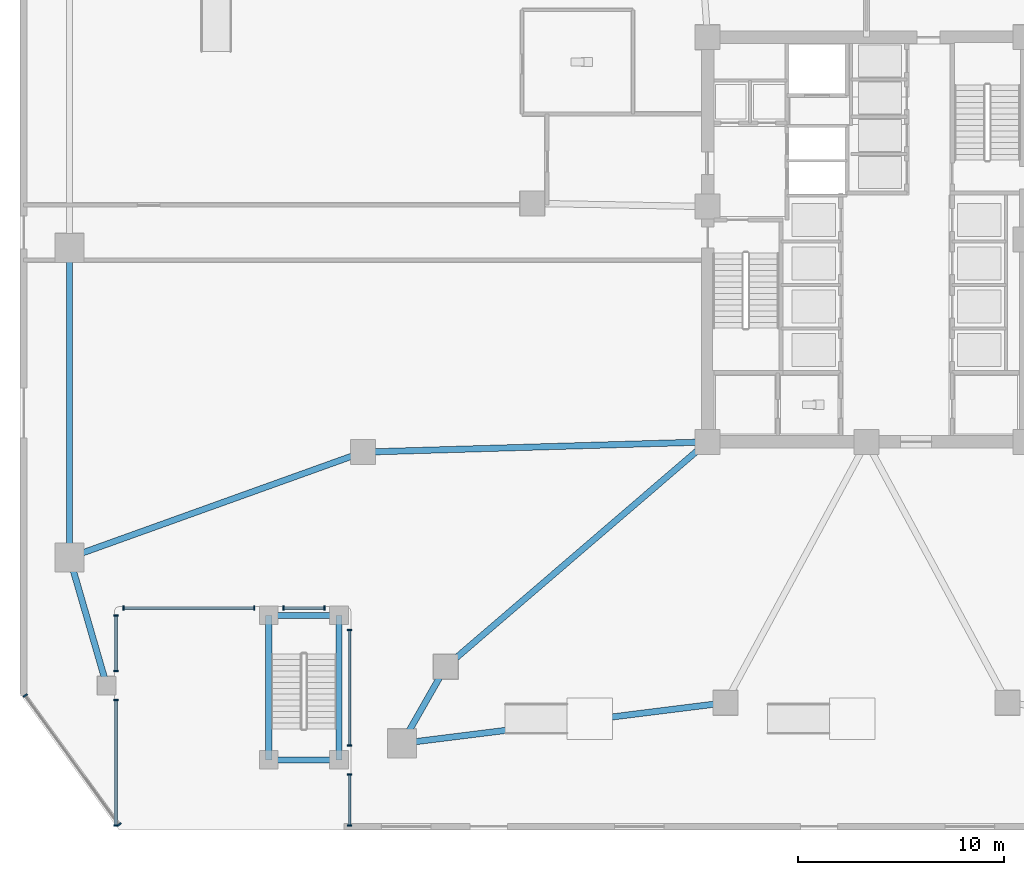
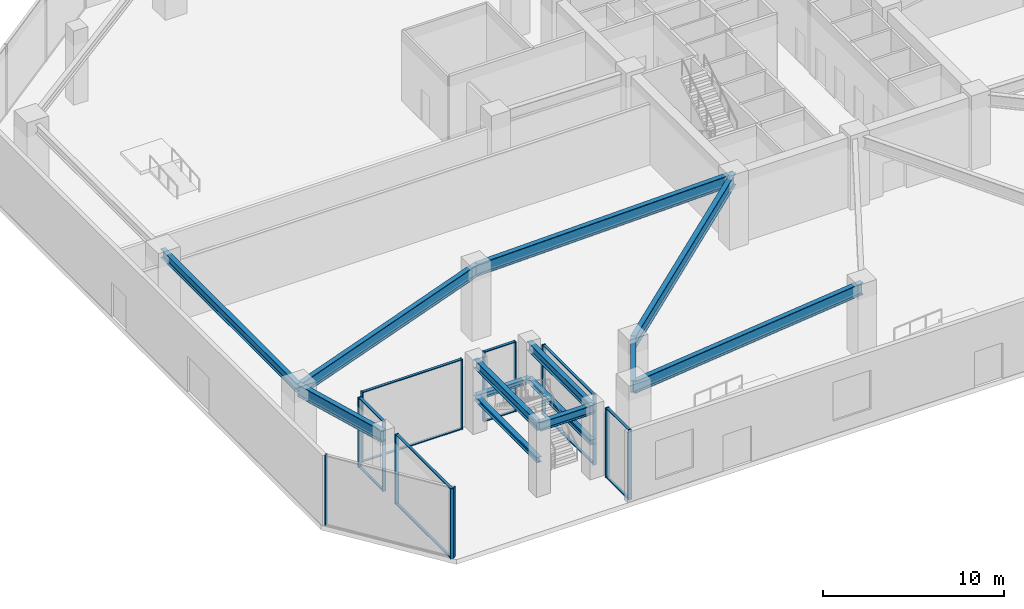
# One storey, part 2 of 22: 26 members, 13 beams, 7 elements without a shape of their own.
"""IFC4 building model written with IfcOpenShell, lengths in metres."""

from ifc_helpers import new_model, si_unit, direction, frame, origin, origin_2d, place, context, subcontext, project, spatial, rectangle, i_section, extrude, material, material_profile, profile_set, type_object, element, aggregate, save


model = new_model("IFC4")

# Units and contexts
model_context = context("Model", 3, precision=1e-05, world=origin(), true_north=direction((0.0, 1.0)))
body_context = subcontext(model_context, "Body", "Model", "MODEL_VIEW")
ifc_project = project(units=[si_unit("LENGTHUNIT", "METRE"), si_unit("AREAUNIT", "SQUARE_METRE"), si_unit("VOLUMEUNIT", "CUBIC_METRE"), si_unit("PLANEANGLEUNIT", "RADIAN"), si_unit("MASSUNIT", "GRAM", prefix="KILO")], contexts=[model_context])

# Site, building, storey
site_placement = place(None, origin())
site = spatial("IfcSite", under=ifc_project, at=site_placement, CompositionType="ELEMENT")
building_placement = place(site_placement, origin())
building = spatial("IfcBuilding", under=site, at=building_placement, Name="Savorim Split Tower", CompositionType="ELEMENT")
storey_placement = place(building_placement, origin())
storey = spatial("IfcBuildingStorey", under=building, at=storey_placement, Name="L00", CompositionType="ELEMENT", Elevation=0.0)

# Beams
ifc_material_1 = material(Name="Steel S355", Category="steel")
ifc_material_profile_1 = material_profile(ifc_material_1, i_section(OverallWidth=0.300048828125, OverallDepth=0.60009765625, WebThickness=0.015380859375, FlangeThickness=0.030029296875, FilletRadius=0.027099609375, at=origin_2d()), Name="HEB 600")
ifc_profile_set_1 = profile_set([ifc_material_profile_1], Name="Steel S355")
beam_type_1 = type_object("IfcBeamType", Name="BM-PRI-HEB600", PredefinedType="BEAM", material=ifc_profile_set_1)
beam_1_placement = place(storey_placement, frame((-28.949951171875, -24.800048828125, 4.419921875), z_axis=(1.0, 0.0, 0.0), x_axis=(0.0, 1.0, 0.0)))
element("IfcBeam", 1, at=beam_1_placement, inside=storey, type_object=beam_type_1, Name="L00 Exterior Garden Stair Framing Beam 1", PredefinedType="BEAM", context=body_context, shape_type="SweptSolid", body=[
    extrude(i_section(OverallWidth=0.300048828125, OverallDepth=0.60009765625, WebThickness=0.015380859375, FlangeThickness=0.030029296875, FilletRadius=0.027099609375, at=origin_2d()), origin(), (0.0, 0.0, 1.0), 3.39990234375),
])
for number, where, z_axis, x_axis, name in (
    (2, (-28.949951171875, -24.800048828125, 4.419921875), (0.0, 1.0, 0.0), (-1.0, 0.0, 0.0), "L00 Exterior Garden Stair Framing Beam 3"),
    (3, (-25.550048828125, -24.800048828125, 4.419921875), (0.0, 1.0, 0.0), (-1.0, 0.0, 0.0), "L00 Exterior Garden Stair Framing Beam 4"),
):
    element("IfcBeam", number, at=place(storey_placement, frame(where, z_axis=z_axis, x_axis=x_axis)), inside=storey, type_object=beam_type_1, Name=name, PredefinedType="BEAM", context=body_context, shape_type="SweptSolid", body=[
        extrude(i_section(OverallWidth=0.300048828125, OverallDepth=0.60009765625, WebThickness=0.015380859375, FlangeThickness=0.030029296875, FilletRadius=0.027099609375, at=origin_2d()), origin(), (0.0, 0.0, 1.0), 7.0),
    ])
ifc_material_2 = material(Name="Steel S460", Category="steel")
ifc_material_profile_2 = material_profile(ifc_material_2, i_section(OverallWidth=0.302978515625, OverallDepth=0.81396484375, WebThickness=0.02099609375, FlangeThickness=0.0400390625, FilletRadius=0.030029296875, at=origin_2d()), Name="HE 800 M")
ifc_profile_set_2 = profile_set([ifc_material_profile_2], Name="Steel S460")
beam_type_2 = type_object("IfcBeamType", Name="BM-PRI-HEM800", PredefinedType="BEAM", material=ifc_profile_set_2)
beam_2_placement = place(storey_placement, frame((-22.5, -24.0, 4.31298828125), z_axis=(0.495603085314, 0.868549124591, 0.0), x_axis=(-0.868549124591, 0.495603085314, 0.0)))
element("IfcBeam", 4, at=beam_2_placement, inside=storey, type_object=beam_type_2, Name="L00 Podium Primary Girder BG-01", PredefinedType="BEAM", context=body_context, shape_type="SweptSolid", body=[
    extrude(i_section(OverallWidth=0.302978515625, OverallDepth=0.81396484375, WebThickness=0.02099609375, FlangeThickness=0.0400390625, FilletRadius=0.030029296875, at=origin_2d()), origin(), (0.0, 0.0, 1.0), 4.26953125),
])
beam_3_placement = place(storey_placement, frame((-22.5, -24.0, 4.31298828125), z_axis=(0.992201816191, 0.124641710303, 0.0), x_axis=(-0.124641710303, 0.992201816191, 0.0)))
element("IfcBeam", 5, at=beam_3_placement, inside=storey, type_object=beam_type_2, Name="L00 Podium Primary Girder BG-02", PredefinedType="BEAM", context=body_context, shape_type="SweptSolid", body=[
    extrude(i_section(OverallWidth=0.302978515625, OverallDepth=0.81396484375, WebThickness=0.02099609375, FlangeThickness=0.0400390625, FilletRadius=0.030029296875, at=origin_2d()), origin(), (0.0, 0.0, 1.0), 15.791259765625),
])
beam_4_placement = place(storey_placement, frame((-38.60009765625, -15.0, 4.31298828125), z_axis=(0.941138119123, 0.338022248874, 0.0), x_axis=(-0.338022248874, 0.941138119123, 0.0)))
element("IfcBeam", 6, at=beam_4_placement, inside=storey, type_object=beam_type_2, Name="L00 Podium Primary Girder BG-19", PredefinedType="BEAM", context=body_context, shape_type="SweptSolid", body=[
    extrude(i_section(OverallWidth=0.302978515625, OverallDepth=0.81396484375, WebThickness=0.02099609375, FlangeThickness=0.0400390625, FilletRadius=0.030029296875, at=origin_2d()), origin(), (0.0, 0.0, 1.0), 15.104736328125),
])
beam_5_placement = place(storey_placement, frame((-38.60009765625, -15.0, 4.31298828125), z_axis=(0.278819195264, -0.960343613689, 0.0), x_axis=(0.960343613689, 0.278819195264, 0.0)))
element("IfcBeam", 7, at=beam_5_placement, inside=storey, type_object=beam_type_2, Name="L00 Podium Primary Girder BG-20", PredefinedType="BEAM", context=body_context, shape_type="SweptSolid", body=[
    extrude(i_section(OverallWidth=0.302978515625, OverallDepth=0.81396484375, WebThickness=0.02099609375, FlangeThickness=0.0400390625, FilletRadius=0.030029296875, at=origin_2d()), origin(), (0.0, 0.0, 1.0), 6.4560546875),
])
beam_6_placement = place(storey_placement, frame((-20.384033203125, -20.291748046875, 4.31298828125), z_axis=(0.758671842154, 0.651472974054, 0.0), x_axis=(-0.651472974054, 0.758671842154, 0.0)))
element("IfcBeam", 8, at=beam_6_placement, inside=storey, type_object=beam_type_2, Name="L00 Podium Primary Girder BG-22", PredefinedType="BEAM", context=body_context, shape_type="SweptSolid", body=[
    extrude(i_section(OverallWidth=0.302978515625, OverallDepth=0.81396484375, WebThickness=0.02099609375, FlangeThickness=0.0400390625, FilletRadius=0.030029296875, at=origin_2d()), origin(), (0.0, 0.0, 1.0), 16.71875),
])
beam_7_placement = place(storey_placement, frame((-24.384521484375, -9.894287109375, 4.31298828125), z_axis=(0.999561283227, 0.029618255758, 0.0), x_axis=(-0.029618255758, 0.999561283227, 0.0)))
element("IfcBeam", 9, at=beam_7_placement, inside=storey, type_object=beam_type_2, Name="L00 Podium Primary Girder BG-31", PredefinedType="BEAM", context=body_context, shape_type="SweptSolid", body=[
    extrude(i_section(OverallWidth=0.302978515625, OverallDepth=0.81396484375, WebThickness=0.02099609375, FlangeThickness=0.0400390625, FilletRadius=0.030029296875, at=origin_2d()), origin(), (0.0, 0.0, 1.0), 16.69189453125),
])
ifc_material_profile_3 = material_profile(ifc_material_1, i_section(OverallWidth=0.300048828125, OverallDepth=0.35009765625, WebThickness=0.010009765625, FlangeThickness=0.017578125, FilletRadius=0.027099609375, at=origin_2d()), Name="HEA 360")
ifc_profile_set_3 = profile_set([ifc_material_profile_3], Name="Steel S355")
beam_type_3 = type_object("IfcBeamType", Name="BM-SPN-HEA360", PredefinedType="SPANDREL", material=ifc_profile_set_3)
beam_8_placement = place(storey_placement, frame((-28.949951171875, -17.800048828125, 2.125), z_axis=(1.0, 0.0, 0.0), x_axis=(0.0, 1.0, 0.0)))
element("IfcBeam", 10, at=beam_8_placement, inside=storey, type_object=beam_type_3, Name="L00 Garden Stair Half-Landing Beam 1", PredefinedType="SPANDREL", context=body_context, shape_type="SweptSolid", body=[
    extrude(i_section(OverallWidth=0.300048828125, OverallDepth=0.35009765625, WebThickness=0.010009765625, FlangeThickness=0.017578125, FilletRadius=0.027099609375, at=origin_2d()), origin(), (0.0, 0.0, 1.0), 3.39990234375),
])
for number, where, z_axis, x_axis, name in (
    (11, (-28.949951171875, -24.800048828125, 2.125), (0.0, 1.0, 0.0), (-1.0, 0.0, 0.0), "L00 Garden Stair Half-Landing Beam 2"),
    (12, (-25.550048828125, -24.800048828125, 2.125), (0.0, 1.0, 0.0), (-1.0, 0.0, 0.0), "L00 Garden Stair Half-Landing Beam 3"),
):
    element("IfcBeam", number, at=place(storey_placement, frame(where, z_axis=z_axis, x_axis=x_axis)), inside=storey, type_object=beam_type_3, Name=name, PredefinedType="SPANDREL", context=body_context, shape_type="SweptSolid", body=[
        extrude(i_section(OverallWidth=0.300048828125, OverallDepth=0.35009765625, WebThickness=0.010009765625, FlangeThickness=0.017578125, FilletRadius=0.027099609375, at=origin_2d()), origin(), (0.0, 0.0, 1.0), 7.0),
    ])
ifc_material_profile_4 = material_profile(ifc_material_1, i_section(OverallWidth=0.300048828125, OverallDepth=0.590087890625, WebThickness=0.012939453125, FlangeThickness=0.02490234375, FilletRadius=0.027099609375, at=origin_2d()), Name="HEA 600")
ifc_profile_set_4 = profile_set([ifc_material_profile_4], Name="Steel S355")
beam_type_4 = type_object("IfcBeamType", Name="BM-SPN-HEA600", PredefinedType="SPANDREL", material=ifc_profile_set_4)
beam_9_placement = place(storey_placement, frame((-38.60009765625, 0.0, 4.425048828125), z_axis=(0.0, -1.0, 0.0), x_axis=(1.0, 0.0, 0.0)))
element("IfcBeam", 13, at=beam_9_placement, inside=storey, type_object=beam_type_4, Name="L00 Podium Spandrel Beam 11", PredefinedType="SPANDREL", context=body_context, shape_type="SweptSolid", body=[
    extrude(i_section(OverallWidth=0.300048828125, OverallDepth=0.590087890625, WebThickness=0.012939453125, FlangeThickness=0.02490234375, FilletRadius=0.027099609375, at=origin_2d()), origin(), (0.0, 0.0, 1.0), 15.0),
])

# Curtain wall, members
ifc_material_3 = material(Name="Dark Ceramic-Fritted Insulated Glass", Category="glass")
curtain_wall_type = type_object("IfcCurtainWallType", Name="CW-POD-GLZ", PredefinedType="NOTDEFINED", material=ifc_material_3)
curtain_wall_1_placement = place(storey_placement, origin())
curtain_wall_1 = element("IfcCurtainWall", 14, at=curtain_wall_1_placement, inside=storey, type_object=curtain_wall_type, Name="L00 Curtain Wall CW-L00-E01S1", PredefinedType="NOTDEFINED")
ifc_material_4 = material(Name="Charcoal Anodised Aluminium", Category="aluminium")
ifc_material_profile_5 = material_profile(ifc_material_4, rectangle(XDim=0.219970703125, YDim=0.070068359375, at=origin_2d()), Name="ALU-M 220x70")
ifc_profile_set_5 = profile_set([ifc_material_profile_5], Name="Charcoal Anodised Aluminium")
member_type_1 = type_object("IfcMemberType", Name="CWM-220x70", PredefinedType="MULLION", material=ifc_profile_set_5)
member_1_placement = place(storey_placement, frame((-36.360107421875, -27.985107421875, 0.0), z_axis=(0.0, 0.0, 1.0), x_axis=(-1.0, 0.0, 0.0)))
member_1 = element("IfcMember", 15, at=member_1_placement, type_object=member_type_1, Name="CW-01 mullion 1", PredefinedType="MULLION", context=body_context, shape_type="SweptSolid", body=[
    extrude(rectangle(XDim=0.219970703125, YDim=0.070068359375, at=origin_2d()), origin(), (0.0, 0.0, 1.0), 4.719970703125),
])
member_2_placement = place(storey_placement, frame((-36.360107421875, -21.905029296875, 0.0), z_axis=(0.0, 0.0, 1.0), x_axis=(-1.0, 0.0, 0.0)))
member_2 = element("IfcMember", 16, at=member_2_placement, type_object=member_type_1, Name="CW-01 mullion 2", PredefinedType="MULLION", context=body_context, shape_type="SweptSolid", body=[
    extrude(rectangle(XDim=0.219970703125, YDim=0.070068359375, at=origin_2d()), origin(), (0.0, 0.0, 1.0), 4.719970703125),
])

curtain_wall_2_placement = place(storey_placement, origin())
curtain_wall_2 = element("IfcCurtainWall", 17, at=curtain_wall_2_placement, inside=storey, type_object=curtain_wall_type, Name="L00 Curtain Wall CW-L00-E01S2", PredefinedType="NOTDEFINED")
member_3_placement = place(storey_placement, frame((-36.360107421875, -20.4951171875, 0.0), z_axis=(0.0, 0.0, 1.0), x_axis=(-1.0, 0.0, 0.0)))
member_3 = element("IfcMember", 18, at=member_3_placement, type_object=member_type_1, Name="CW-01 mullion 1", PredefinedType="MULLION", context=body_context, shape_type="SweptSolid", body=[
    extrude(rectangle(XDim=0.219970703125, YDim=0.070068359375, at=origin_2d()), origin(), (0.0, 0.0, 1.0), 4.719970703125),
])
member_4_placement = place(storey_placement, frame((-36.360107421875, -17.81494140625, 0.0), z_axis=(0.0, 0.0, 1.0), x_axis=(-1.0, 0.0, 0.0)))
member_4 = element("IfcMember", 19, at=member_4_placement, type_object=member_type_1, Name="CW-01 mullion 2", PredefinedType="MULLION", context=body_context, shape_type="SweptSolid", body=[
    extrude(rectangle(XDim=0.219970703125, YDim=0.070068359375, at=origin_2d()), origin(), (0.0, 0.0, 1.0), 4.719970703125),
])

curtain_wall_3_placement = place(storey_placement, origin())
curtain_wall_3 = element("IfcCurtainWall", 20, at=curtain_wall_3_placement, inside=storey, type_object=curtain_wall_type, Name="L00 Curtain Wall CW-L00-E02S1", PredefinedType="NOTDEFINED")
member_5_placement = place(storey_placement, frame((-35.985107421875, -17.43994140625, 0.0), z_axis=(0.0, 0.0, 1.0), x_axis=(0.0, 1.0, 0.0)))
member_5 = element("IfcMember", 21, at=member_5_placement, type_object=member_type_1, Name="CW-01 mullion 1", PredefinedType="MULLION", context=body_context, shape_type="SweptSolid", body=[
    extrude(rectangle(XDim=0.219970703125, YDim=0.070068359375, at=origin_2d()), origin(), (0.0, 0.0, 1.0), 4.719970703125),
])
member_6_placement = place(storey_placement, frame((-29.655029296875, -17.43994140625, 0.0), z_axis=(0.0, 0.0, 1.0), x_axis=(0.0, 1.0, 0.0)))
member_6 = element("IfcMember", 22, at=member_6_placement, type_object=member_type_1, Name="CW-01 mullion 2", PredefinedType="MULLION", context=body_context, shape_type="SweptSolid", body=[
    extrude(rectangle(XDim=0.219970703125, YDim=0.070068359375, at=origin_2d()), origin(), (0.0, 0.0, 1.0), 4.719970703125),
])

curtain_wall_4_placement = place(storey_placement, origin())
curtain_wall_4 = element("IfcCurtainWall", 23, at=curtain_wall_4_placement, inside=storey, type_object=curtain_wall_type, Name="L00 Curtain Wall CW-L00-E02S2", PredefinedType="NOTDEFINED")
member_7_placement = place(storey_placement, frame((-28.2451171875, -17.43994140625, 0.0), z_axis=(0.0, 0.0, 1.0), x_axis=(0.0, 1.0, 0.0)))
member_7 = element("IfcMember", 24, at=member_7_placement, type_object=member_type_1, Name="CW-01 mullion 1", PredefinedType="MULLION", context=body_context, shape_type="SweptSolid", body=[
    extrude(rectangle(XDim=0.219970703125, YDim=0.070068359375, at=origin_2d()), origin(), (0.0, 0.0, 1.0), 4.719970703125),
])
member_8_placement = place(storey_placement, frame((-26.2548828125, -17.43994140625, 0.0), z_axis=(0.0, 0.0, 1.0), x_axis=(0.0, 1.0, 0.0)))
member_8 = element("IfcMember", 25, at=member_8_placement, type_object=member_type_1, Name="CW-01 mullion 2", PredefinedType="MULLION", context=body_context, shape_type="SweptSolid", body=[
    extrude(rectangle(XDim=0.219970703125, YDim=0.070068359375, at=origin_2d()), origin(), (0.0, 0.0, 1.0), 4.719970703125),
])

curtain_wall_5_placement = place(storey_placement, origin())
curtain_wall_5 = element("IfcCurtainWall", 26, at=curtain_wall_5_placement, inside=storey, type_object=curtain_wall_type, Name="L00 Curtain Wall CW-L00-E03S1", PredefinedType="NOTDEFINED")
member_9_placement = place(storey_placement, frame((-25.0400390625, -18.5048828125, 0.0), z_axis=(0.0, 0.0, 1.0), x_axis=(1.0, 0.0, 0.0)))
member_9 = element("IfcMember", 27, at=member_9_placement, type_object=member_type_1, Name="CW-01 mullion 1", PredefinedType="MULLION", context=body_context, shape_type="SweptSolid", body=[
    extrude(rectangle(XDim=0.219970703125, YDim=0.070068359375, at=origin_2d()), origin(), (0.0, 0.0, 1.0), 4.719970703125),
])
member_10_placement = place(storey_placement, frame((-25.0400390625, -24.094970703125, 0.0), z_axis=(0.0, 0.0, 1.0), x_axis=(1.0, 0.0, 0.0)))
member_10 = element("IfcMember", 28, at=member_10_placement, type_object=member_type_1, Name="CW-01 mullion 2", PredefinedType="MULLION", context=body_context, shape_type="SweptSolid", body=[
    extrude(rectangle(XDim=0.219970703125, YDim=0.070068359375, at=origin_2d()), origin(), (0.0, 0.0, 1.0), 4.719970703125),
])

curtain_wall_6_placement = place(storey_placement, origin())
curtain_wall_6 = element("IfcCurtainWall", 29, at=curtain_wall_6_placement, inside=storey, type_object=curtain_wall_type, Name="L00 Curtain Wall CW-L00-E03S2", PredefinedType="NOTDEFINED")
member_11_placement = place(storey_placement, frame((-25.0400390625, -25.5048828125, 0.0), z_axis=(0.0, 0.0, 1.0), x_axis=(1.0, 0.0, 0.0)))
member_11 = element("IfcMember", 30, at=member_11_placement, type_object=member_type_1, Name="CW-01 mullion 1", PredefinedType="MULLION", context=body_context, shape_type="SweptSolid", body=[
    extrude(rectangle(XDim=0.219970703125, YDim=0.070068359375, at=origin_2d()), origin(), (0.0, 0.0, 1.0), 4.719970703125),
])
member_12_placement = place(storey_placement, frame((-25.0400390625, -27.985107421875, 0.0), z_axis=(0.0, 0.0, 1.0), x_axis=(1.0, 0.0, 0.0)))
member_12 = element("IfcMember", 31, at=member_12_placement, type_object=member_type_1, Name="CW-01 mullion 2", PredefinedType="MULLION", context=body_context, shape_type="SweptSolid", body=[
    extrude(rectangle(XDim=0.219970703125, YDim=0.070068359375, at=origin_2d()), origin(), (0.0, 0.0, 1.0), 4.719970703125),
])

curtain_wall_7_placement = place(storey_placement, origin())
curtain_wall_7 = element("IfcCurtainWall", 32, at=curtain_wall_7_placement, inside=storey, type_object=curtain_wall_type, Name="L00 Curtain Wall CW-L00-E11", PredefinedType="NOTDEFINED")
member_13_placement = place(storey_placement, frame((-40.744140625, -21.6796875, 0.0), z_axis=(0.0, 0.0, 1.0), x_axis=(0.808737192991, 0.588170173227, 0.0)))
member_13 = element("IfcMember", 33, at=member_13_placement, type_object=member_type_1, Name="CW-01 mullion 1", PredefinedType="MULLION", context=body_context, shape_type="SweptSolid", body=[
    extrude(rectangle(XDim=0.219970703125, YDim=0.070068359375, at=origin_2d()), origin(), (0.0, 0.0, 1.0), 4.719970703125),
])
member_14_placement = place(storey_placement, frame((-36.197021484375, -27.931884765625, 0.0), z_axis=(0.0, 0.0, 1.0), x_axis=(0.808737192991, 0.588170173227, 0.0)))
member_14 = element("IfcMember", 34, at=member_14_placement, type_object=member_type_1, Name="CW-01 mullion 2", PredefinedType="MULLION", context=body_context, shape_type="SweptSolid", body=[
    extrude(rectangle(XDim=0.219970703125, YDim=0.070068359375, at=origin_2d()), origin(), (0.0, 0.0, 1.0), 4.719970703125),
])
aggregate(curtain_wall_7, [member_13, member_14])

# Member
ifc_material_profile_6 = material_profile(ifc_material_4, rectangle(XDim=0.159912109375, YDim=0.06005859375, at=origin_2d()), Name="ALU-T 160x60")
ifc_profile_set_6 = profile_set([ifc_material_profile_6], Name="Charcoal Anodised Aluminium")
member_type_2 = type_object("IfcMemberType", Name="CWT-160x60", PredefinedType="USERDEFINED", material=ifc_profile_set_6)
member_15_placement = place(storey_placement, frame((-36.360107421875, -27.949951171875, 0.030029296875), z_axis=(0.0, 1.0, 0.0), x_axis=(-1.0, 0.0, 0.0)))
member_15 = element("IfcMember", 35, at=member_15_placement, type_object=member_type_2, Name="CW-01 transom 1.1", ObjectType="TRANSOM", PredefinedType="USERDEFINED", context=body_context, shape_type="SweptSolid", body=[
    extrude(rectangle(XDim=0.159912109375, YDim=0.06005859375, at=origin_2d()), origin(), (0.0, 0.0, 1.0), 6.010009765625),
])

member_16_placement = place(storey_placement, frame((-36.360107421875, -27.949951171875, 4.68994140625), z_axis=(0.0, 1.0, 0.0), x_axis=(-1.0, 0.0, 0.0)))
member_16 = element("IfcMember", 36, at=member_16_placement, type_object=member_type_2, Name="CW-01 transom 1.2", ObjectType="TRANSOM", PredefinedType="USERDEFINED", context=body_context, shape_type="SweptSolid", body=[
    extrude(rectangle(XDim=0.159912109375, YDim=0.06005859375, at=origin_2d()), origin(), (0.0, 0.0, 1.0), 6.010009765625),
])

aggregate(curtain_wall_1, [member_1, member_2, member_15, member_16])

member_17_placement = place(storey_placement, frame((-36.360107421875, -20.4599609375, 0.030029296875), z_axis=(0.0, 1.0, 0.0), x_axis=(-1.0, 0.0, 0.0)))
member_17 = element("IfcMember", 37, at=member_17_placement, type_object=member_type_2, Name="CW-01 transom 1.1", ObjectType="TRANSOM", PredefinedType="USERDEFINED", context=body_context, shape_type="SweptSolid", body=[
    extrude(rectangle(XDim=0.159912109375, YDim=0.06005859375, at=origin_2d()), origin(), (0.0, 0.0, 1.0), 2.60986328125),
])

member_18_placement = place(storey_placement, frame((-36.360107421875, -20.4599609375, 4.68994140625), z_axis=(0.0, 1.0, 0.0), x_axis=(-1.0, 0.0, 0.0)))
member_18 = element("IfcMember", 38, at=member_18_placement, type_object=member_type_2, Name="CW-01 transom 1.2", ObjectType="TRANSOM", PredefinedType="USERDEFINED", context=body_context, shape_type="SweptSolid", body=[
    extrude(rectangle(XDim=0.159912109375, YDim=0.06005859375, at=origin_2d()), origin(), (0.0, 0.0, 1.0), 2.60986328125),
])

aggregate(curtain_wall_2, [member_3, member_4, member_17, member_18])

member_19_placement = place(storey_placement, frame((-35.949951171875, -17.43994140625, 0.030029296875), z_axis=(1.0, 0.0, 0.0), x_axis=(0.0, 1.0, 0.0)))
member_19 = element("IfcMember", 39, at=member_19_placement, type_object=member_type_2, Name="CW-01 transom 1.1", ObjectType="TRANSOM", PredefinedType="USERDEFINED", context=body_context, shape_type="SweptSolid", body=[
    extrude(rectangle(XDim=0.159912109375, YDim=0.06005859375, at=origin_2d()), origin(), (0.0, 0.0, 1.0), 6.260009765625),
])

member_20_placement = place(storey_placement, frame((-35.949951171875, -17.43994140625, 4.68994140625), z_axis=(1.0, 0.0, 0.0), x_axis=(0.0, 1.0, 0.0)))
member_20 = element("IfcMember", 40, at=member_20_placement, type_object=member_type_2, Name="CW-01 transom 1.2", ObjectType="TRANSOM", PredefinedType="USERDEFINED", context=body_context, shape_type="SweptSolid", body=[
    extrude(rectangle(XDim=0.159912109375, YDim=0.06005859375, at=origin_2d()), origin(), (0.0, 0.0, 1.0), 6.260009765625),
])

aggregate(curtain_wall_3, [member_5, member_6, member_19, member_20])

member_21_placement = place(storey_placement, frame((-28.2099609375, -17.43994140625, 0.030029296875), z_axis=(1.0, 0.0, 0.0), x_axis=(0.0, 1.0, 0.0)))
member_21 = element("IfcMember", 41, at=member_21_placement, type_object=member_type_2, Name="CW-01 transom 1.1", ObjectType="TRANSOM", PredefinedType="USERDEFINED", context=body_context, shape_type="SweptSolid", body=[
    extrude(rectangle(XDim=0.159912109375, YDim=0.06005859375, at=origin_2d()), origin(), (0.0, 0.0, 1.0), 1.919921875),
])

member_22_placement = place(storey_placement, frame((-28.2099609375, -17.43994140625, 4.68994140625), z_axis=(1.0, 0.0, 0.0), x_axis=(0.0, 1.0, 0.0)))
member_22 = element("IfcMember", 42, at=member_22_placement, type_object=member_type_2, Name="CW-01 transom 1.2", ObjectType="TRANSOM", PredefinedType="USERDEFINED", context=body_context, shape_type="SweptSolid", body=[
    extrude(rectangle(XDim=0.159912109375, YDim=0.06005859375, at=origin_2d()), origin(), (0.0, 0.0, 1.0), 1.919921875),
])

aggregate(curtain_wall_4, [member_7, member_8, member_21, member_22])

member_23_placement = place(storey_placement, frame((-25.0400390625, -18.5400390625, 0.030029296875), z_axis=(0.0, -1.0, 0.0), x_axis=(1.0, 0.0, 0.0)))
member_23 = element("IfcMember", 43, at=member_23_placement, type_object=member_type_2, Name="CW-01 transom 1.1", ObjectType="TRANSOM", PredefinedType="USERDEFINED", context=body_context, shape_type="SweptSolid", body=[
    extrude(rectangle(XDim=0.159912109375, YDim=0.06005859375, at=origin_2d()), origin(), (0.0, 0.0, 1.0), 5.52001953125),
])

member_24_placement = place(storey_placement, frame((-25.0400390625, -18.5400390625, 4.68994140625), z_axis=(0.0, -1.0, 0.0), x_axis=(1.0, 0.0, 0.0)))
member_24 = element("IfcMember", 44, at=member_24_placement, type_object=member_type_2, Name="CW-01 transom 1.2", ObjectType="TRANSOM", PredefinedType="USERDEFINED", context=body_context, shape_type="SweptSolid", body=[
    extrude(rectangle(XDim=0.159912109375, YDim=0.06005859375, at=origin_2d()), origin(), (0.0, 0.0, 1.0), 5.52001953125),
])

aggregate(curtain_wall_5, [member_9, member_10, member_23, member_24])

member_25_placement = place(storey_placement, frame((-25.0400390625, -25.5400390625, 0.030029296875), z_axis=(0.0, -1.0, 0.0), x_axis=(1.0, 0.0, 0.0)))
member_25 = element("IfcMember", 45, at=member_25_placement, type_object=member_type_2, Name="CW-01 transom 1.1", ObjectType="TRANSOM", PredefinedType="USERDEFINED", context=body_context, shape_type="SweptSolid", body=[
    extrude(rectangle(XDim=0.159912109375, YDim=0.06005859375, at=origin_2d()), origin(), (0.0, 0.0, 1.0), 2.409912109375),
])

member_26_placement = place(storey_placement, frame((-25.0400390625, -25.5400390625, 4.68994140625), z_axis=(0.0, -1.0, 0.0), x_axis=(1.0, 0.0, 0.0)))
member_26 = element("IfcMember", 46, at=member_26_placement, type_object=member_type_2, Name="CW-01 transom 1.2", ObjectType="TRANSOM", PredefinedType="USERDEFINED", context=body_context, shape_type="SweptSolid", body=[
    extrude(rectangle(XDim=0.159912109375, YDim=0.06005859375, at=origin_2d()), origin(), (0.0, 0.0, 1.0), 2.409912109375),
])

aggregate(curtain_wall_6, [member_11, member_12, member_25, member_26])

save(model, "model.ifc")
